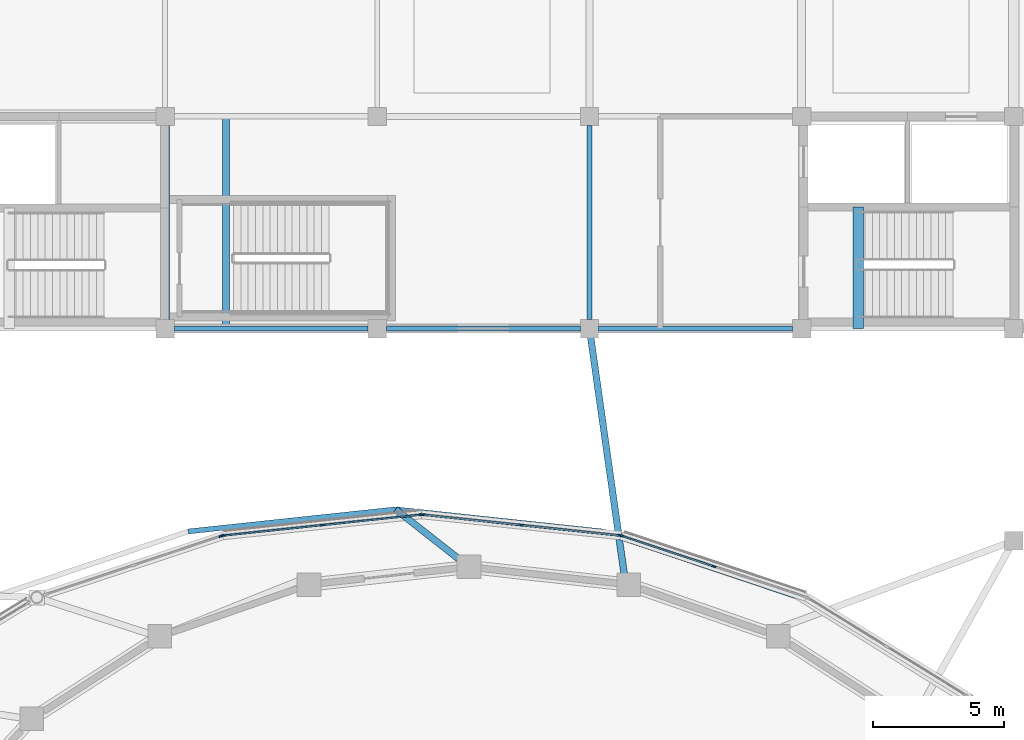
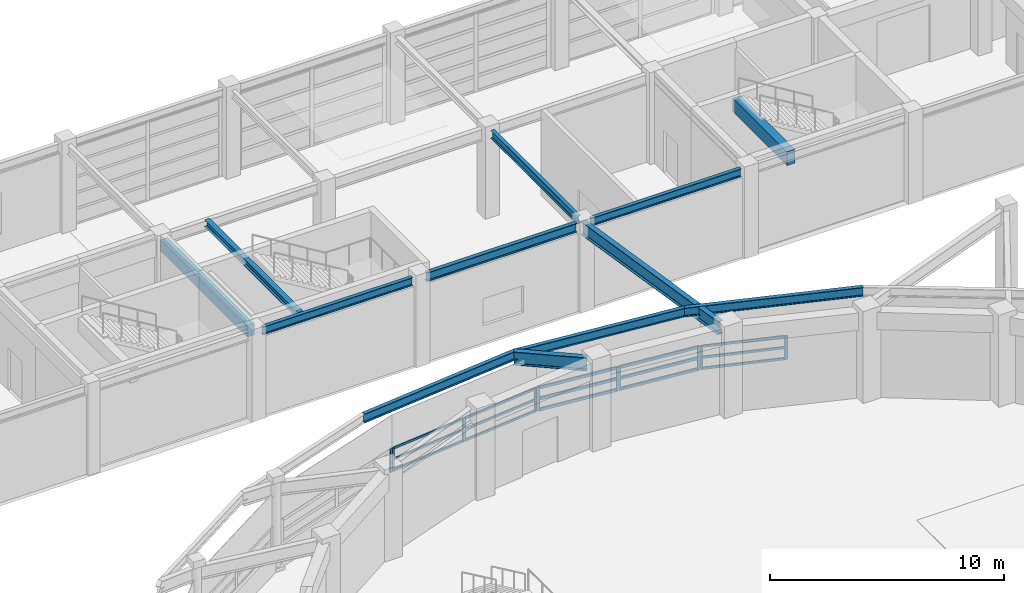
# One storey, part 22 of 56: 24 members, 12 beams, 4 elements without a shape of their own.
"""IFC4 building model written with IfcOpenShell, lengths in metres."""

from ifc_helpers import new_model, si_unit, direction, frame, origin, origin_2d, place, context, subcontext, project, spatial, rectangle, i_section, extrude, material, material_profile, profile_set, type_object, element, aggregate, save


model = new_model("IFC4")

# Units and contexts
model_context = context("Model", 3, precision=1e-05, world=origin(), true_north=direction((0.0, 1.0)))
body_context = subcontext(model_context, "Body", "Model", "MODEL_VIEW")
ifc_project = project(units=[si_unit("LENGTHUNIT", "METRE"), si_unit("AREAUNIT", "SQUARE_METRE"), si_unit("VOLUMEUNIT", "CUBIC_METRE"), si_unit("PLANEANGLEUNIT", "RADIAN"), si_unit("MASSUNIT", "GRAM", prefix="KILO")], contexts=[model_context])

# Site, building, storey
site_placement = place(None, origin())
site = spatial("IfcSite", under=ifc_project, at=site_placement, CompositionType="ELEMENT")
building_placement = place(site_placement, origin())
building = spatial("IfcBuilding", under=site, at=building_placement, Name="Parian Resonance Hall", CompositionType="ELEMENT")
storey_placement = place(building_placement, frame((0.0, 0.0, 5.39990234375)))
storey = spatial("IfcBuildingStorey", under=building, at=storey_placement, Name="L01", CompositionType="ELEMENT", Elevation=5.39990234375)

# Beams
ifc_material_1 = material(Name="Concrete C40/50", Category="concrete")
ifc_material_profile_1 = material_profile(ifc_material_1, rectangle(XDim=0.35009765625, YDim=0.60009765625, at=origin_2d()), Name="RC-BM-350x600")
ifc_profile_set_1 = profile_set([ifc_material_profile_1], Name="Concrete C40/50")
beam_type_1 = type_object("IfcBeamType", Name="BM-RC350x600", PredefinedType="BEAM", material=ifc_profile_set_1)
beam_1_placement = place(storey_placement, frame((32.39990234375, 73.25, 4.260009765625), z_axis=(0.0, 1.0, 0.0), x_axis=(-1.0, 0.0, 0.0)))
element("IfcBeam", 1, at=beam_1_placement, inside=storey, type_object=beam_type_1, Name="GY-L01-0598", PredefinedType="BEAM", context=body_context, shape_type="SweptSolid", body=[
    extrude(rectangle(XDim=0.35009765625, YDim=0.60009765625, at=origin_2d()), origin(), (0.0, 0.0, 1.0), 7.39990234375),
])
ifc_material_2 = material(Name="Concrete C40/50", Category="concrete")
ifc_material_profile_2 = material_profile(ifc_material_2, rectangle(XDim=0.39990234375, YDim=0.699951171875, at=origin_2d()), Name="RC-BM-400x700")
ifc_profile_set_2 = profile_set([ifc_material_profile_2], Name="Concrete C40/50")
beam_type_2 = type_object("IfcBeamType", Name="BM-RC400x700", PredefinedType="BEAM", material=ifc_profile_set_2)
beam_2_placement = place(storey_placement, frame((58.860107421875, 72.89990234375, 4.210205078125), z_axis=(0.0, 1.0, 0.0), x_axis=(-1.0, 0.0, 0.0)))
element("IfcBeam", 2, at=beam_2_placement, inside=storey, type_object=beam_type_2, Name="Core K1 stair arrival trimmer beam L01", PredefinedType="BEAM", context=body_context, shape_type="SweptSolid", body=[
    extrude(rectangle(XDim=0.39990234375, YDim=0.699951171875, at=origin_2d()), origin(), (0.0, 0.0, 1.0), 4.650146484375),
])
ifc_material_3 = material(Name="Steel S355", Category="steel")
ifc_material_profile_3 = material_profile(ifc_material_3, i_section(OverallWidth=0.2548828125, OverallDepth=0.35693359375, WebThickness=0.010498046875, FlangeThickness=0.018310546875, FilletRadius=0.01513671875, at=origin_2d()), Name="W360x101")
ifc_profile_set_3 = profile_set([ifc_material_profile_3], Name="Steel S355")
beam_type_3 = type_object("IfcBeamType", Name="BM-W360x101", PredefinedType="SPANDREL", material=ifc_profile_set_3)
beam_3_placement = place(storey_placement, frame((34.719970703125, 72.89990234375, 4.381591796875), z_axis=(0.0, 1.0, 0.0), x_axis=(-1.0, 0.0, 0.0)))
element("IfcBeam", 3, at=beam_3_placement, inside=storey, type_object=beam_type_3, Name="Feature stair ST-07 arrival header beam L01", PredefinedType="SPANDREL", context=body_context, shape_type="SweptSolid", body=[
    extrude(i_section(OverallWidth=0.2548828125, OverallDepth=0.35693359375, WebThickness=0.010498046875, FlangeThickness=0.018310546875, FilletRadius=0.01513671875, at=origin_2d()), origin(), (0.0, 0.0, 1.0), 8.10009765625),
])
ifc_material_4 = material(Name="Steel S355", Category="steel")
ifc_material_profile_4 = material_profile(ifc_material_4, i_section(OverallWidth=0.180908203125, OverallDepth=0.4169921875, WebThickness=0.010986328125, FlangeThickness=0.018310546875, FilletRadius=0.01513671875, at=origin_2d()), Name="W410x85")
ifc_profile_set_4 = profile_set([ifc_material_profile_4], Name="Steel S355")
beam_type_4 = type_object("IfcBeamType", Name="BM-W410x85", PredefinedType="SPANDREL", material=ifc_profile_set_4)
beam_4_placement = place(storey_placement, frame((32.75, 72.89990234375, 4.3515625), z_axis=(1.0, 0.0, 0.0), x_axis=(0.0, 1.0, 0.0)))
element("IfcBeam", 4, at=beam_4_placement, inside=storey, type_object=beam_type_4, Name="GX-L01-0529", PredefinedType="SPANDREL", context=body_context, shape_type="SweptSolid", body=[
    extrude(i_section(OverallWidth=0.180908203125, OverallDepth=0.4169921875, WebThickness=0.010986328125, FlangeThickness=0.018310546875, FilletRadius=0.01513671875, at=origin_2d()), origin(), (0.0, 0.0, 1.0), 7.39990234375),
])
beam_5_placement = place(storey_placement, frame((48.949951171875, 72.89990234375, 4.3515625), z_axis=(1.0, 0.0, 0.0), x_axis=(0.0, 1.0, 0.0)))
element("IfcBeam", 5, at=beam_5_placement, inside=storey, type_object=beam_type_4, Name="GX-L01-0535", PredefinedType="SPANDREL", context=body_context, shape_type="SweptSolid", body=[
    extrude(i_section(OverallWidth=0.180908203125, OverallDepth=0.4169921875, WebThickness=0.010986328125, FlangeThickness=0.018310546875, FilletRadius=0.01513671875, at=origin_2d()), origin(), (0.0, 0.0, 1.0), 7.400146484375),
])
beam_6_placement = place(storey_placement, frame((48.60009765625, 73.25, 4.3515625), z_axis=(0.0, 1.0, 0.0), x_axis=(-1.0, 0.0, 0.0)))
element("IfcBeam", 6, at=beam_6_placement, inside=storey, type_object=beam_type_4, Name="GY-L01-0601", PredefinedType="SPANDREL", context=body_context, shape_type="SweptSolid", body=[
    extrude(i_section(OverallWidth=0.180908203125, OverallDepth=0.4169921875, WebThickness=0.010986328125, FlangeThickness=0.018310546875, FilletRadius=0.01513671875, at=origin_2d()), origin(), (0.0, 0.0, 1.0), 7.39990234375),
])
ifc_material_5 = material(Name="Steel S355", Category="steel")
ifc_material_profile_5 = material_profile(ifc_material_5, i_section(OverallWidth=0.194091796875, OverallDepth=0.468994140625, WebThickness=0.0126953125, FlangeThickness=0.0205078125, FilletRadius=0.01513671875, at=origin_2d()), Name="W460x106")
ifc_profile_set_5 = profile_set([ifc_material_profile_5], Name="Steel S355")
beam_type_5 = type_object("IfcBeamType", Name="BM-W460x106", PredefinedType="SPANDREL", material=ifc_profile_set_5)
beam_7_placement = place(storey_placement, frame((40.85009765625, 72.89990234375, 4.32568359375), z_axis=(1.0, 0.0, 0.0), x_axis=(0.0, 1.0, 0.0)))
element("IfcBeam", 7, at=beam_7_placement, inside=storey, type_object=beam_type_5, Name="GX-L01-0532", PredefinedType="SPANDREL", context=body_context, shape_type="SweptSolid", body=[
    extrude(i_section(OverallWidth=0.194091796875, OverallDepth=0.468994140625, WebThickness=0.0126953125, FlangeThickness=0.0205078125, FilletRadius=0.01513671875, at=origin_2d()), origin(), (0.0, 0.0, 1.0), 7.39990234375),
])
beam_8_placement = place(storey_placement, frame((56.5, 62.677490234375, 4.295654296875), z_axis=(-0.948006883481, 0.318249821481, 0.0), x_axis=(-0.318249821481, -0.948006883481, 0.0)))
element("IfcBeam", 8, at=beam_8_placement, inside=storey, type_object=beam_type_5, Name="Elliptical R2 perimeter spandrel beam 05", PredefinedType="SPANDREL", context=body_context, shape_type="SweptSolid", body=[
    extrude(i_section(OverallWidth=0.194091796875, OverallDepth=0.468994140625, WebThickness=0.0126953125, FlangeThickness=0.0205078125, FilletRadius=0.01513671875, at=origin_2d()), origin(), (0.0, 0.0, 1.0), 7.784912109375),
])
for number, where, z_axis, x_axis, name in (
    (9, (49.119873046875, 65.155029296875, 4.295654296875), (-0.994356829595, 0.106087206758, 0.0), (-0.106087206758, -0.994356829595, 0.0), "Elliptical R2 perimeter spandrel beam 06"),
    (10, (41.199951171875, 66.0, 4.295654296875), (-0.994356829595, -0.106087206758, 0.0), (0.106087206758, -0.994356829595, 0.0), "Elliptical R2 perimeter spandrel beam 07"),
):
    element("IfcBeam", number, at=place(storey_placement, frame(where, z_axis=z_axis, x_axis=x_axis)), inside=storey, type_object=beam_type_5, Name=name, PredefinedType="SPANDREL", context=body_context, shape_type="SweptSolid", body=[
        extrude(i_section(OverallWidth=0.194091796875, OverallDepth=0.468994140625, WebThickness=0.0126953125, FlangeThickness=0.0205078125, FilletRadius=0.01513671875, at=origin_2d()), origin(), (0.0, 0.0, 1.0), 7.96484375),
    ])
ifc_material_6 = material(Name="Steel S355", Category="steel")
ifc_material_profile_6 = material_profile(ifc_material_6, i_section(OverallWidth=0.256103515625, OverallDepth=0.693115234375, WebThickness=0.014404296875, FlangeThickness=0.023681640625, FilletRadius=0.020263671875, at=origin_2d()), Name="W690x170")
ifc_profile_set_6 = profile_set([ifc_material_profile_6], Name="Steel S355")
beam_type_6 = type_object("IfcBeamType", Name="CG2 W690x170", PredefinedType="USERDEFINED", material=ifc_profile_set_6)
beam_9_placement = place(storey_placement, frame((49.93310546875, 63.48486328125, 4.18359375), z_axis=(-0.140184744582, 0.99012536448, 0.0), x_axis=(-0.99012536448, -0.140184744582, 0.0)))
element("IfcBeam", 11, at=beam_9_placement, inside=storey, type_object=beam_type_6, Name="Radial spine girder R2-06", ObjectType="GIRDER", PredefinedType="USERDEFINED", context=body_context, shape_type="SweptSolid", body=[
    extrude(i_section(OverallWidth=0.256103515625, OverallDepth=0.693115234375, WebThickness=0.014404296875, FlangeThickness=0.023681640625, FilletRadius=0.020263671875, at=origin_2d()), origin(), (0.0, 0.0, 1.0), 9.509033203125),
])
beam_10_placement = place(storey_placement, frame((43.685546875, 64.047119140625, 4.18359375), z_axis=(-0.786331739069, 0.617804496691, 0.0), x_axis=(-0.617804496691, -0.786331739069, 0.0)))
element("IfcBeam", 12, at=beam_10_placement, inside=storey, type_object=beam_type_6, Name="Radial ring cantilever girder R2-07", ObjectType="GIRDER", PredefinedType="USERDEFINED", context=body_context, shape_type="SweptSolid", body=[
    extrude(i_section(OverallWidth=0.256103515625, OverallDepth=0.693115234375, WebThickness=0.014404296875, FlangeThickness=0.023681640625, FilletRadius=0.020263671875, at=origin_2d()), origin(), (0.0, 0.0, 1.0), 3.160888671875),
])

# Curtain wall, members
ifc_material_7 = material(Name="Bronze-anodised aluminium frame", Category="aluminium")
curtain_wall_type_1 = type_object("IfcCurtainWallType", Name="CW-SYS-05", PredefinedType="NOTDEFINED", material=ifc_material_7)
curtain_wall_1_placement = place(storey_placement, origin())
curtain_wall_1 = element("IfcCurtainWall", 13, at=curtain_wall_1_placement, inside=storey, type_object=curtain_wall_type_1, Name="Elliptical R1 recessed strip curtain wall 05", PredefinedType="NOTDEFINED")
ifc_material_8 = material(Name="Bronze-anodised aluminium frame", Category="aluminium")
ifc_material_profile_7 = material_profile(ifc_material_8, rectangle(XDim=0.06494140625, YDim=0.159912109375, at=origin_2d()), Name="CWM-65x160")
ifc_profile_set_7 = profile_set([ifc_material_profile_7], Name="Bronze-anodised aluminium frame")
member_type_1 = type_object("IfcMemberType", Name="CWM-65x160", PredefinedType="MULLION", material=ifc_profile_set_7)
member_1_placement = place(storey_placement, frame((49.840087890625, 64.985595703125, 1.14208984375), z_axis=(0.0, 0.0, 1.0), x_axis=(0.315509027722, 0.948922575043, 0.0)))
member_1 = element("IfcMember", 14, at=member_1_placement, type_object=member_type_1, Name="CW-05 mullion 1", PredefinedType="MULLION", context=body_context, shape_type="SweptSolid", body=[
    extrude(rectangle(XDim=0.06494140625, YDim=0.159912109375, at=origin_2d()), origin(), (0.0, 0.0, 1.0), 1.218017578125),
])
member_2_placement = place(storey_placement, frame((53.354736328125, 63.81689453125, 1.14208984375), z_axis=(0.0, 0.0, 1.0), x_axis=(0.315509027722, 0.948922575043, 0.0)))
member_2 = element("IfcMember", 15, at=member_2_placement, type_object=member_type_1, Name="CW-05 mullion 2", PredefinedType="MULLION", context=body_context, shape_type="SweptSolid", body=[
    extrude(rectangle(XDim=0.06494140625, YDim=0.159912109375, at=origin_2d()), origin(), (0.0, 0.0, 1.0), 1.218017578125),
])

ifc_material_9 = material(Name="Bronze-anodised aluminium frame", Category="aluminium")
curtain_wall_type_2 = type_object("IfcCurtainWallType", Name="CW-SYS-01", PredefinedType="NOTDEFINED", material=ifc_material_9)
curtain_wall_2_placement = place(storey_placement, origin())
curtain_wall_2 = element("IfcCurtainWall", 16, at=curtain_wall_2_placement, inside=storey, type_object=curtain_wall_type_2, Name="Elliptical R1 recessed strip curtain wall 07", PredefinedType="NOTDEFINED")
member_3_placement = place(storey_placement, frame((34.623046875, 64.999267578125, 1.14208984375), z_axis=(0.0, 0.0, 1.0), x_axis=(-0.105101122357, 0.994461539769, 0.0)))
member_3 = element("IfcMember", 17, at=member_3_placement, type_object=member_type_1, Name="CW-01 mullion 1", PredefinedType="MULLION", context=body_context, shape_type="SweptSolid", body=[
    extrude(rectangle(XDim=0.06494140625, YDim=0.159912109375, at=origin_2d()), origin(), (0.0, 0.0, 1.0), 1.218017578125),
])
member_4_placement = place(storey_placement, frame((38.395263671875, 65.39794921875, 1.14208984375), z_axis=(0.0, 0.0, 1.0), x_axis=(-0.105101122357, 0.994461539769, 0.0)))
member_4 = element("IfcMember", 18, at=member_4_placement, type_object=member_type_1, Name="CW-01 mullion 2", PredefinedType="MULLION", context=body_context, shape_type="SweptSolid", body=[
    extrude(rectangle(XDim=0.06494140625, YDim=0.159912109375, at=origin_2d()), origin(), (0.0, 0.0, 1.0), 1.218017578125),
])
member_5_placement = place(storey_placement, frame((42.167724609375, 65.796630859375, 1.14208984375), z_axis=(0.0, 0.0, 1.0), x_axis=(-0.105101122357, 0.994461539769, 0.0)))
member_5 = element("IfcMember", 19, at=member_5_placement, type_object=member_type_1, Name="CW-01 mullion 3", PredefinedType="MULLION", context=body_context, shape_type="SweptSolid", body=[
    extrude(rectangle(XDim=0.06494140625, YDim=0.159912109375, at=origin_2d()), origin(), (0.0, 0.0, 1.0), 1.218017578125),
])

ifc_material_10 = material(Name="Bronze-anodised aluminium frame", Category="aluminium")
curtain_wall_type_3 = type_object("IfcCurtainWallType", Name="CW-SYS-06", PredefinedType="NOTDEFINED", material=ifc_material_10)
curtain_wall_3_placement = place(storey_placement, origin())
curtain_wall_3 = element("IfcCurtainWall", 20, at=curtain_wall_3_placement, inside=storey, type_object=curtain_wall_type_3, Name="Elliptical R1 recessed strip curtain wall 06", PredefinedType="NOTDEFINED")
ifc_material_11 = material(Name="Bronze-anodised aluminium frame", Category="aluminium")
ifc_material_profile_8 = material_profile(ifc_material_11, rectangle(XDim=0.074951171875, YDim=0.199951171875, at=origin_2d()), Name="CWM-75x200")
ifc_profile_set_8 = profile_set([ifc_material_profile_8], Name="Bronze-anodised aluminium frame")
member_type_2 = type_object("IfcMemberType", Name="CWM-75x200", PredefinedType="MULLION", material=ifc_profile_set_8)
member_6_placement = place(storey_placement, frame((42.2373046875, 65.796142578125, 1.14208984375), z_axis=(0.0, 0.0, 1.0), x_axis=(0.105101122357, 0.994461539769, 0.0)))
member_6 = element("IfcMember", 21, at=member_6_placement, type_object=member_type_2, Name="CW-06 mullion 1", PredefinedType="MULLION", context=body_context, shape_type="SweptSolid", body=[
    extrude(rectangle(XDim=0.074951171875, YDim=0.199951171875, at=origin_2d()), origin(), (0.0, 0.0, 1.0), 1.218017578125),
])
member_7_placement = place(storey_placement, frame((46.004638671875, 65.39794921875, 1.14208984375), z_axis=(0.0, 0.0, 1.0), x_axis=(0.105101122357, 0.994461539769, 0.0)))
member_7 = element("IfcMember", 22, at=member_7_placement, type_object=member_type_2, Name="CW-06 mullion 2", PredefinedType="MULLION", context=body_context, shape_type="SweptSolid", body=[
    extrude(rectangle(XDim=0.074951171875, YDim=0.199951171875, at=origin_2d()), origin(), (0.0, 0.0, 1.0), 1.218017578125),
])
member_8_placement = place(storey_placement, frame((49.77197265625, 64.999755859375, 1.14208984375), z_axis=(0.0, 0.0, 1.0), x_axis=(0.105101122357, 0.994461539769, 0.0)))
member_8 = element("IfcMember", 23, at=member_8_placement, type_object=member_type_2, Name="CW-06 mullion 3", PredefinedType="MULLION", context=body_context, shape_type="SweptSolid", body=[
    extrude(rectangle(XDim=0.074951171875, YDim=0.199951171875, at=origin_2d()), origin(), (0.0, 0.0, 1.0), 1.218017578125),
])

# Curtain wall, member
ifc_material_12 = material(Name="Bronze-anodised aluminium frame", Category="aluminium")
curtain_wall_type_4 = type_object("IfcCurtainWallType", Name="CW-SYS-02", PredefinedType="NOTDEFINED", material=ifc_material_12)
curtain_wall_4_placement = place(storey_placement, origin())
curtain_wall_4 = element("IfcCurtainWall", 24, at=curtain_wall_4_placement, inside=storey, type_object=curtain_wall_type_4, Name="Elliptical R1 recessed strip curtain wall 08", PredefinedType="NOTDEFINED")
member_9_placement = place(storey_placement, frame((34.55517578125, 64.98388671875, 1.14208984375), z_axis=(0.0, 0.0, 1.0), x_axis=(-0.315505719015, 0.948923675154, 0.0)))
member_9 = element("IfcMember", 25, at=member_9_placement, type_object=member_type_2, Name="CW-02 mullion 3", PredefinedType="MULLION", context=body_context, shape_type="SweptSolid", body=[
    extrude(rectangle(XDim=0.074951171875, YDim=0.199951171875, at=origin_2d()), origin(), (0.0, 0.0, 1.0), 1.218017578125),
])
aggregate(curtain_wall_4, [member_9])

# Member
ifc_material_13 = material(Name="Bronze-anodised aluminium frame", Category="aluminium")
ifc_material_profile_9 = material_profile(ifc_material_13, rectangle(XDim=0.06494140625, YDim=0.1201171875, at=origin_2d()), Name="CWT-65x120")
ifc_profile_set_9 = profile_set([ifc_material_profile_9], Name="Bronze-anodised aluminium frame")
member_type_3 = type_object("IfcMemberType", Name="CWT-65x120", PredefinedType="USERDEFINED", material=ifc_profile_set_9)
member_10_placement = place(storey_placement, frame((49.87109375, 64.975341796875, 1.174560546875), z_axis=(0.948904489954, -0.315563415094, 0.0), x_axis=(0.315563415094, 0.948904489954, 0.0)))
member_10 = element("IfcMember", 26, at=member_10_placement, type_object=member_type_3, Name="CW-05 transom 1.1", ObjectType="TRANSOM", PredefinedType="USERDEFINED", context=body_context, shape_type="SweptSolid", body=[
    extrude(rectangle(XDim=0.06494140625, YDim=0.1201171875, at=origin_2d()), origin(), (0.0, 0.0, 1.0), 3.638671875),
])

member_11_placement = place(storey_placement, frame((49.87109375, 64.975341796875, 1.75), z_axis=(0.948904489954, -0.315563415094, 0.0), x_axis=(0.315563415094, 0.948904489954, 0.0)))
member_11 = element("IfcMember", 27, at=member_11_placement, type_object=member_type_3, Name="CW-05 transom 1.2", ObjectType="TRANSOM", PredefinedType="USERDEFINED", context=body_context, shape_type="SweptSolid", body=[
    extrude(rectangle(XDim=0.06494140625, YDim=0.1201171875, at=origin_2d()), origin(), (0.0, 0.0, 1.0), 3.638671875),
])

member_12_placement = place(storey_placement, frame((49.87109375, 64.975341796875, 2.32763671875), z_axis=(0.948904489954, -0.315563415094, 0.0), x_axis=(0.315563415094, 0.948904489954, 0.0)))
member_12 = element("IfcMember", 28, at=member_12_placement, type_object=member_type_3, Name="CW-05 transom 1.3", ObjectType="TRANSOM", PredefinedType="USERDEFINED", context=body_context, shape_type="SweptSolid", body=[
    extrude(rectangle(XDim=0.06494140625, YDim=0.1201171875, at=origin_2d()), origin(), (0.0, 0.0, 1.0), 3.638671875),
])

aggregate(curtain_wall_1, [member_1, member_2, member_10, member_11, member_12])

member_13_placement = place(storey_placement, frame((34.6552734375, 65.002685546875, 1.174560546875), z_axis=(0.99446195251, 0.105097216947, 0.0), x_axis=(-0.105097216947, 0.99446195251, 0.0)))
member_13 = element("IfcMember", 29, at=member_13_placement, type_object=member_type_3, Name="CW-01 transom 1.1", ObjectType="TRANSOM", PredefinedType="USERDEFINED", context=body_context, shape_type="SweptSolid", body=[
    extrude(rectangle(XDim=0.06494140625, YDim=0.1201171875, at=origin_2d()), origin(), (0.0, 0.0, 1.0), 3.728515625),
])

member_14_placement = place(storey_placement, frame((34.6552734375, 65.002685546875, 1.75), z_axis=(0.99446195251, 0.105097216947, 0.0), x_axis=(-0.105097216947, 0.99446195251, 0.0)))
member_14 = element("IfcMember", 30, at=member_14_placement, type_object=member_type_3, Name="CW-01 transom 1.2", ObjectType="TRANSOM", PredefinedType="USERDEFINED", context=body_context, shape_type="SweptSolid", body=[
    extrude(rectangle(XDim=0.06494140625, YDim=0.1201171875, at=origin_2d()), origin(), (0.0, 0.0, 1.0), 3.728515625),
])

member_15_placement = place(storey_placement, frame((34.6552734375, 65.002685546875, 2.32763671875), z_axis=(0.99446195251, 0.105097216947, 0.0), x_axis=(-0.105097216947, 0.99446195251, 0.0)))
member_15 = element("IfcMember", 31, at=member_15_placement, type_object=member_type_3, Name="CW-01 transom 1.3", ObjectType="TRANSOM", PredefinedType="USERDEFINED", context=body_context, shape_type="SweptSolid", body=[
    extrude(rectangle(XDim=0.06494140625, YDim=0.1201171875, at=origin_2d()), origin(), (0.0, 0.0, 1.0), 3.728515625),
])

member_16_placement = place(storey_placement, frame((38.427734375, 65.4013671875, 1.174560546875), z_axis=(0.994461229172, 0.105104061163, 0.0), x_axis=(-0.105104061163, 0.994461229172, 0.0)))
member_16 = element("IfcMember", 32, at=member_16_placement, type_object=member_type_3, Name="CW-01 transom 2.1", ObjectType="TRANSOM", PredefinedType="USERDEFINED", context=body_context, shape_type="SweptSolid", body=[
    extrude(rectangle(XDim=0.06494140625, YDim=0.1201171875, at=origin_2d()), origin(), (0.0, 0.0, 1.0), 3.728271484375),
])

member_17_placement = place(storey_placement, frame((38.427734375, 65.4013671875, 1.75), z_axis=(0.994461229172, 0.105104061163, 0.0), x_axis=(-0.105104061163, 0.994461229172, 0.0)))
member_17 = element("IfcMember", 33, at=member_17_placement, type_object=member_type_3, Name="CW-01 transom 2.2", ObjectType="TRANSOM", PredefinedType="USERDEFINED", context=body_context, shape_type="SweptSolid", body=[
    extrude(rectangle(XDim=0.06494140625, YDim=0.1201171875, at=origin_2d()), origin(), (0.0, 0.0, 1.0), 3.728271484375),
])

member_18_placement = place(storey_placement, frame((38.427734375, 65.4013671875, 2.32763671875), z_axis=(0.994461229172, 0.105104061163, 0.0), x_axis=(-0.105104061163, 0.994461229172, 0.0)))
member_18 = element("IfcMember", 34, at=member_18_placement, type_object=member_type_3, Name="CW-01 transom 2.3", ObjectType="TRANSOM", PredefinedType="USERDEFINED", context=body_context, shape_type="SweptSolid", body=[
    extrude(rectangle(XDim=0.06494140625, YDim=0.1201171875, at=origin_2d()), origin(), (0.0, 0.0, 1.0), 3.728271484375),
])

aggregate(curtain_wall_2, [member_3, member_4, member_5, member_13, member_14, member_15, member_16, member_17, member_18])

ifc_material_14 = material(Name="Bronze-anodised aluminium frame", Category="aluminium")
ifc_material_profile_10 = material_profile(ifc_material_14, rectangle(XDim=0.074951171875, YDim=0.14990234375, at=origin_2d()), Name="CWT-75x150")
ifc_profile_set_10 = profile_set([ifc_material_profile_10], Name="Bronze-anodised aluminium frame")
member_type_4 = type_object("IfcMemberType", Name="CWT-75x150", PredefinedType="USERDEFINED", material=ifc_profile_set_10)
member_19_placement = place(storey_placement, frame((42.274658203125, 65.792236328125, 1.1796875), z_axis=(0.994458156467, -0.105133130062, 0.0), x_axis=(0.105133130062, 0.994458156467, 0.0)))
member_19 = element("IfcMember", 35, at=member_19_placement, type_object=member_type_4, Name="CW-06 transom 1.1", ObjectType="TRANSOM", PredefinedType="USERDEFINED", context=body_context, shape_type="SweptSolid", body=[
    extrude(rectangle(XDim=0.074951171875, YDim=0.14990234375, at=origin_2d()), origin(), (0.0, 0.0, 1.0), 3.713134765625),
])

member_20_placement = place(storey_placement, frame((42.274658203125, 65.792236328125, 1.75), z_axis=(0.994458156467, -0.105133130062, 0.0), x_axis=(0.105133130062, 0.994458156467, 0.0)))
member_20 = element("IfcMember", 36, at=member_20_placement, type_object=member_type_4, Name="CW-06 transom 1.2", ObjectType="TRANSOM", PredefinedType="USERDEFINED", context=body_context, shape_type="SweptSolid", body=[
    extrude(rectangle(XDim=0.074951171875, YDim=0.14990234375, at=origin_2d()), origin(), (0.0, 0.0, 1.0), 3.713134765625),
])

member_21_placement = place(storey_placement, frame((42.274658203125, 65.792236328125, 2.322509765625), z_axis=(0.994458156467, -0.105133130062, 0.0), x_axis=(0.105133130062, 0.994458156467, 0.0)))
member_21 = element("IfcMember", 37, at=member_21_placement, type_object=member_type_4, Name="CW-06 transom 1.3", ObjectType="TRANSOM", PredefinedType="USERDEFINED", context=body_context, shape_type="SweptSolid", body=[
    extrude(rectangle(XDim=0.074951171875, YDim=0.14990234375, at=origin_2d()), origin(), (0.0, 0.0, 1.0), 3.713134765625),
])

member_22_placement = place(storey_placement, frame((46.0419921875, 65.39404296875, 1.1796875), z_axis=(0.994458156467, -0.105133130062, 0.0), x_axis=(0.105133130062, 0.994458156467, 0.0)))
member_22 = element("IfcMember", 38, at=member_22_placement, type_object=member_type_4, Name="CW-06 transom 2.1", ObjectType="TRANSOM", PredefinedType="USERDEFINED", context=body_context, shape_type="SweptSolid", body=[
    extrude(rectangle(XDim=0.074951171875, YDim=0.14990234375, at=origin_2d()), origin(), (0.0, 0.0, 1.0), 3.713134765625),
])

member_23_placement = place(storey_placement, frame((46.0419921875, 65.39404296875, 1.75), z_axis=(0.994458156467, -0.105133130062, 0.0), x_axis=(0.105133130062, 0.994458156467, 0.0)))
member_23 = element("IfcMember", 39, at=member_23_placement, type_object=member_type_4, Name="CW-06 transom 2.2", ObjectType="TRANSOM", PredefinedType="USERDEFINED", context=body_context, shape_type="SweptSolid", body=[
    extrude(rectangle(XDim=0.074951171875, YDim=0.14990234375, at=origin_2d()), origin(), (0.0, 0.0, 1.0), 3.713134765625),
])

member_24_placement = place(storey_placement, frame((46.0419921875, 65.39404296875, 2.322509765625), z_axis=(0.994458156467, -0.105133130062, 0.0), x_axis=(0.105133130062, 0.994458156467, 0.0)))
member_24 = element("IfcMember", 40, at=member_24_placement, type_object=member_type_4, Name="CW-06 transom 2.3", ObjectType="TRANSOM", PredefinedType="USERDEFINED", context=body_context, shape_type="SweptSolid", body=[
    extrude(rectangle(XDim=0.074951171875, YDim=0.14990234375, at=origin_2d()), origin(), (0.0, 0.0, 1.0), 3.713134765625),
])

aggregate(curtain_wall_3, [member_6, member_7, member_8, member_19, member_20, member_21, member_22, member_23, member_24])

save(model, "model.ifc")
